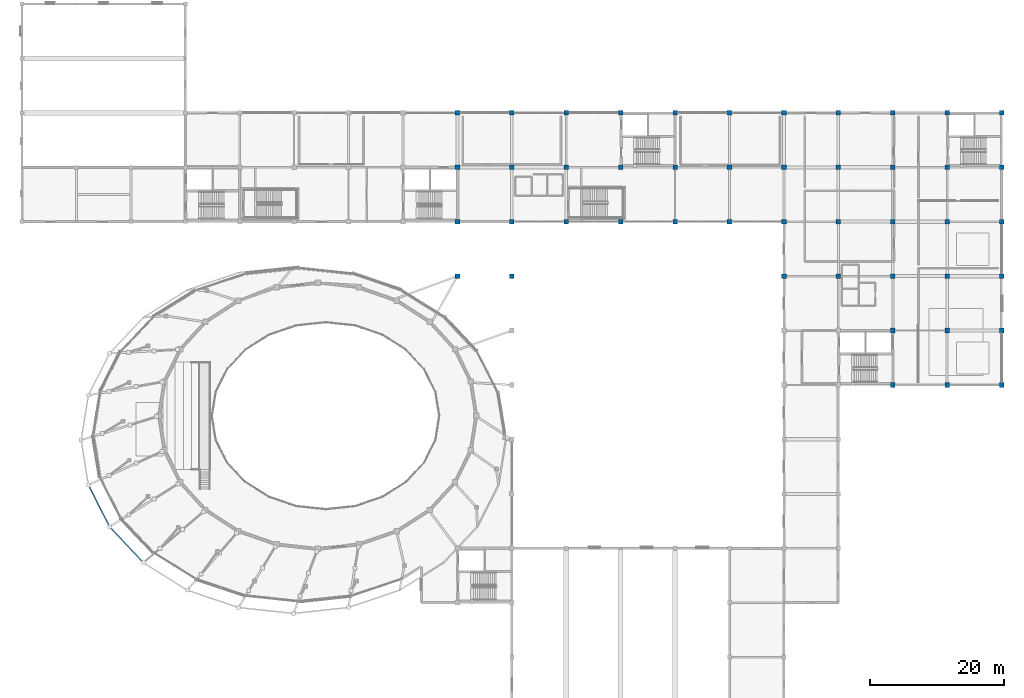
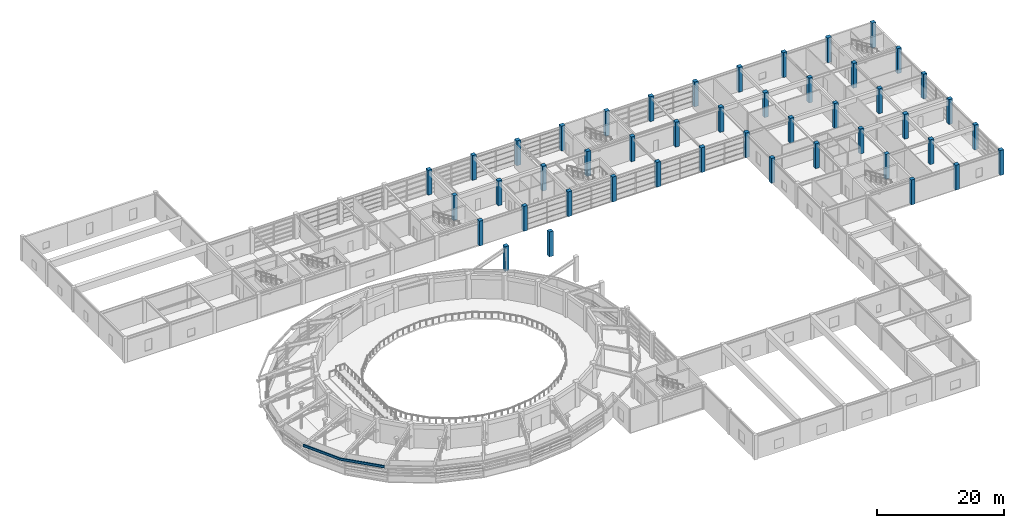
# One storey, part 11 of 58: 46 columns, 2 beams.
"""IFC4 building model written with IfcOpenShell, lengths in metres."""

from ifc_helpers import new_model, si_unit, direction, frame, origin, origin_2d, place, context, subcontext, project, spatial, rectangle, i_section, extrude, material, material_profile, profile_set, type_object, element, save


model = new_model("IFC4")

# Units and contexts
model_context = context("Model", 3, precision=1e-05, world=origin(), true_north=direction((0.0, 1.0)))
body_context = subcontext(model_context, "Body", "Model", "MODEL_VIEW")
ifc_project = project(units=[si_unit("LENGTHUNIT", "METRE"), si_unit("AREAUNIT", "SQUARE_METRE"), si_unit("VOLUMEUNIT", "CUBIC_METRE"), si_unit("PLANEANGLEUNIT", "RADIAN"), si_unit("MASSUNIT", "GRAM", prefix="KILO")], contexts=[model_context])

# Site, building, storey
site_placement = place(None, origin())
site = spatial("IfcSite", under=ifc_project, at=site_placement, CompositionType="ELEMENT")
building_placement = place(site_placement, origin())
building = spatial("IfcBuilding", under=site, at=building_placement, Name="Parian Resonance Hall", CompositionType="ELEMENT")
storey_placement = place(building_placement, frame((0.0, 0.0, 10.199951171875)))
storey = spatial("IfcBuildingStorey", under=building, at=storey_placement, Name="L02", CompositionType="ELEMENT", Elevation=10.199951171875)

# Columns
ifc_material_1 = material(Name="Concrete C40/50", Category="concrete")
ifc_material_profile_1 = material_profile(ifc_material_1, rectangle(XDim=0.699951171875, YDim=0.699951171875, at=origin_2d()), Name="RC-COL-700x700")
ifc_profile_set_1 = profile_set([ifc_material_profile_1], Name="Concrete C40/50")
column_type = type_object("IfcColumnType", Name="COL-RC700", PredefinedType="COLUMN", material=ifc_profile_set_1)
for number, where, z_axis, x_axis, name in (
    (1, (64.800048828125, 64.800048828125, 0.0), (0.0, 0.0, 1.0), (1.0, 0.0, 0.0), "Column G09-09 L02"),
    (2, (64.800048828125, 72.89990234375, 0.0), (0.0, 0.0, 1.0), (1.0, 0.0, 0.0), "Column G09-10 L02"),
    (3, (64.800048828125, 81.0, 0.0), (0.0, 0.0, 1.0), (1.0, 0.0, 0.0), "Column G09-11 L02"),
    (4, (64.800048828125, 89.10009765625, 0.0), (0.0, 0.0, 1.0), (1.0, 0.0, 0.0), "Column G09-12 L02"),
    (5, (72.89990234375, 64.800048828125, 0.0), (0.0, 0.0, 1.0), (1.0, 0.0, 0.0), "Column G10-09 L02"),
    (6, (72.89990234375, 72.89990234375, 0.0), (0.0, 0.0, 1.0), (1.0, 0.0, 0.0), "Column G10-10 L02"),
    (7, (72.89990234375, 81.0, 0.0), (0.0, 0.0, 1.0), (1.0, 0.0, 0.0), "Column G10-11 L02"),
    (8, (72.89990234375, 89.10009765625, 0.0), (0.0, 0.0, 1.0), (1.0, 0.0, 0.0), "Column G10-12 L02"),
    (9, (81.0, 72.89990234375, 0.0), (0.0, 0.0, 1.0), (1.0, 0.0, 0.0), "Column G11-10 L02"),
    (10, (81.0, 81.0, 0.0), (0.0, 0.0, 1.0), (1.0, 0.0, 0.0), "Column G11-11 L02"),
    (11, (81.0, 89.10009765625, 0.0), (0.0, 0.0, 1.0), (1.0, 0.0, 0.0), "Column G11-12 L02"),
    (12, (89.10009765625, 72.89990234375, 0.0), (0.0, 0.0, 1.0), (1.0, 0.0, 0.0), "Column G12-10 L02"),
    (13, (89.10009765625, 81.0, 0.0), (0.0, 0.0, 1.0), (1.0, 0.0, 0.0), "Column G12-11 L02"),
    (14, (89.10009765625, 89.10009765625, 0.0), (0.0, 0.0, 1.0), (1.0, 0.0, 0.0), "Column G12-12 L02"),
    (15, (97.199951171875, 72.89990234375, 0.0), (0.0, 0.0, 1.0), (1.0, 0.0, 0.0), "Column G13-10 L02"),
    (16, (97.199951171875, 81.0, 0.0), (0.0, 0.0, 1.0), (1.0, 0.0, 0.0), "Column G13-11 L02"),
    (17, (97.199951171875, 89.10009765625, 0.0), (0.0, 0.0, 1.0), (1.0, 0.0, 0.0), "Column G13-12 L02"),
    (18, (105.300048828125, 72.89990234375, 0.0), (0.0, 0.0, 1.0), (1.0, 0.0, 0.0), "Column G14-10 L02"),
    (19, (105.300048828125, 81.0, 0.0), (0.0, 0.0, 1.0), (1.0, 0.0, 0.0), "Column G14-11 L02"),
    (20, (105.300048828125, 89.10009765625, 0.0), (0.0, 0.0, 1.0), (1.0, 0.0, 0.0), "Column G14-12 L02"),
    (21, (113.39990234375, 64.800048828125, 0.0), (0.0, 0.0, 1.0), (1.0, 0.0, 0.0), "Column G15-09 L02"),
    (22, (113.39990234375, 72.89990234375, 0.0), (0.0, 0.0, 1.0), (1.0, 0.0, 0.0), "Column G15-10 L02"),
    (23, (113.39990234375, 81.0, 0.0), (0.0, 0.0, 1.0), (1.0, 0.0, 0.0), "Column G15-11 L02"),
    (24, (113.39990234375, 89.10009765625, 0.0), (0.0, 0.0, 1.0), (1.0, 0.0, 0.0), "Column G15-12 L02"),
    (25, (121.5, 64.800048828125, 0.0), (0.0, 0.0, 1.0), (1.0, 0.0, 0.0), "Column G16-09 L02"),
    (26, (121.5, 72.89990234375, 0.0), (0.0, 0.0, 1.0), (1.0, 0.0, 0.0), "Column G16-10 L02"),
    (27, (121.5, 81.0, 0.0), (0.0, 0.0, 1.0), (1.0, 0.0, 0.0), "Column G16-11 L02"),
    (28, (121.5, 89.10009765625, 0.0), (0.0, 0.0, 1.0), (1.0, 0.0, 0.0), "Column G16-12 L02"),
    (29, (129.60009765625, 48.60009765625, 0.0), (0.0, 0.0, 1.0), (1.0, 0.0, 0.0), "Column G17-07 L02"),
    (30, (129.60009765625, 56.699951171875, 0.0), (0.0, 0.0, 1.0), (1.0, 0.0, 0.0), "Column G17-08 L02"),
    (31, (129.60009765625, 64.800048828125, 0.0), (0.0, 0.0, 1.0), (1.0, 0.0, 0.0), "Column G17-09 L02"),
    (32, (129.60009765625, 72.89990234375, 0.0), (0.0, 0.0, 1.0), (1.0, 0.0, 0.0), "Column G17-10 L02"),
    (33, (129.60009765625, 81.0, 0.0), (0.0, 0.0, 1.0), (1.0, 0.0, 0.0), "Column G17-11 L02"),
    (34, (129.60009765625, 89.10009765625, 0.0), (0.0, 0.0, 1.0), (1.0, 0.0, 0.0), "Column G17-12 L02"),
    (35, (137.699951171875, 48.60009765625, 0.0), (0.0, 0.0, 1.0), (1.0, 0.0, 0.0), "Column G18-07 L02"),
    (36, (137.699951171875, 56.699951171875, 0.0), (0.0, 0.0, 1.0), (1.0, 0.0, 0.0), "Column G18-08 L02"),
    (37, (137.699951171875, 64.800048828125, 0.0), (0.0, 0.0, 1.0), (1.0, 0.0, 0.0), "Column G18-09 L02"),
    (38, (137.699951171875, 72.89990234375, 0.0), (0.0, 0.0, 1.0), (1.0, 0.0, 0.0), "Column G18-10 L02"),
    (39, (137.699951171875, 81.0, 0.0), (0.0, 0.0, 1.0), (1.0, 0.0, 0.0), "Column G18-11 L02"),
    (40, (137.699951171875, 89.10009765625, 0.0), (0.0, 0.0, 1.0), (1.0, 0.0, 0.0), "Column G18-12 L02"),
    (41, (145.800048828125, 48.60009765625, 0.0), (0.0, 0.0, 1.0), (1.0, 0.0, 0.0), "Column G19-07 L02"),
    (42, (145.800048828125, 56.699951171875, 0.0), (0.0, 0.0, 1.0), (1.0, 0.0, 0.0), "Column G19-08 L02"),
    (43, (145.800048828125, 64.800048828125, 0.0), (0.0, 0.0, 1.0), (1.0, 0.0, 0.0), "Column G19-09 L02"),
    (44, (145.800048828125, 72.89990234375, 0.0), (0.0, 0.0, 1.0), (1.0, 0.0, 0.0), "Column G19-10 L02"),
    (45, (145.800048828125, 81.0, 0.0), (0.0, 0.0, 1.0), (1.0, 0.0, 0.0), "Column G19-11 L02"),
    (46, (145.800048828125, 89.10009765625, 0.0), (0.0, 0.0, 1.0), (1.0, 0.0, 0.0), "Column G19-12 L02"),
):
    element("IfcColumn", number, at=place(storey_placement, frame(where, z_axis=z_axis, x_axis=x_axis)), inside=storey, type_object=column_type, Name=name, PredefinedType="COLUMN", context=body_context, shape_type="SweptSolid", body=[
        extrude(rectangle(XDim=0.699951171875, YDim=0.699951171875, at=origin_2d()), origin(), (0.0, 0.0, 1.0), 4.800048828125),
    ])

# Beams
ifc_material_2 = material(Name="Steel S355", Category="steel")
ifc_material_profile_2 = material_profile(ifc_material_2, i_section(OverallWidth=0.194091796875, OverallDepth=0.468994140625, WebThickness=0.0126953125, FlangeThickness=0.0205078125, FilletRadius=0.01513671875, at=origin_2d()), Name="W460x106")
ifc_profile_set_2 = profile_set([ifc_material_profile_2], Name="Steel S355")
beam_type = type_object("IfcBeamType", Name="BM-W460x106", PredefinedType="SPANDREL", material=ifc_profile_set_2)
beam_1_placement = place(storey_placement, frame((9.876708984375, 33.722412109375, 4.265625), z_axis=(0.452454380739, -0.891787549448, 0.0), x_axis=(0.891787549448, 0.452454380739, 0.0)))
element("IfcBeam", 47, at=beam_1_placement, inside=storey, type_object=beam_type, Name="Elliptical R3 perimeter spandrel beam 14", PredefinedType="SPANDREL", context=body_context, shape_type="SweptSolid", body=[
    extrude(i_section(OverallWidth=0.194091796875, OverallDepth=0.468994140625, WebThickness=0.0126953125, FlangeThickness=0.0205078125, FilletRadius=0.01513671875, at=origin_2d()), origin(), (0.0, 0.0, 1.0), 6.9775390625),
])
beam_2_placement = place(storey_placement, frame((13.03369140625, 27.5, 4.265625), z_axis=(0.684825514035, -0.728707084724, 0.0), x_axis=(0.728707084724, 0.684825514035, 0.0)))
element("IfcBeam", 48, at=beam_2_placement, inside=storey, type_object=beam_type, Name="Elliptical R3 perimeter spandrel beam 15", PredefinedType="SPANDREL", context=body_context, shape_type="SweptSolid", body=[
    extrude(i_section(OverallWidth=0.194091796875, OverallDepth=0.468994140625, WebThickness=0.0126953125, FlangeThickness=0.0205078125, FilletRadius=0.01513671875, at=origin_2d()), origin(), (0.0, 0.0, 1.0), 7.332763671875),
])

save(model, "model.ifc")
